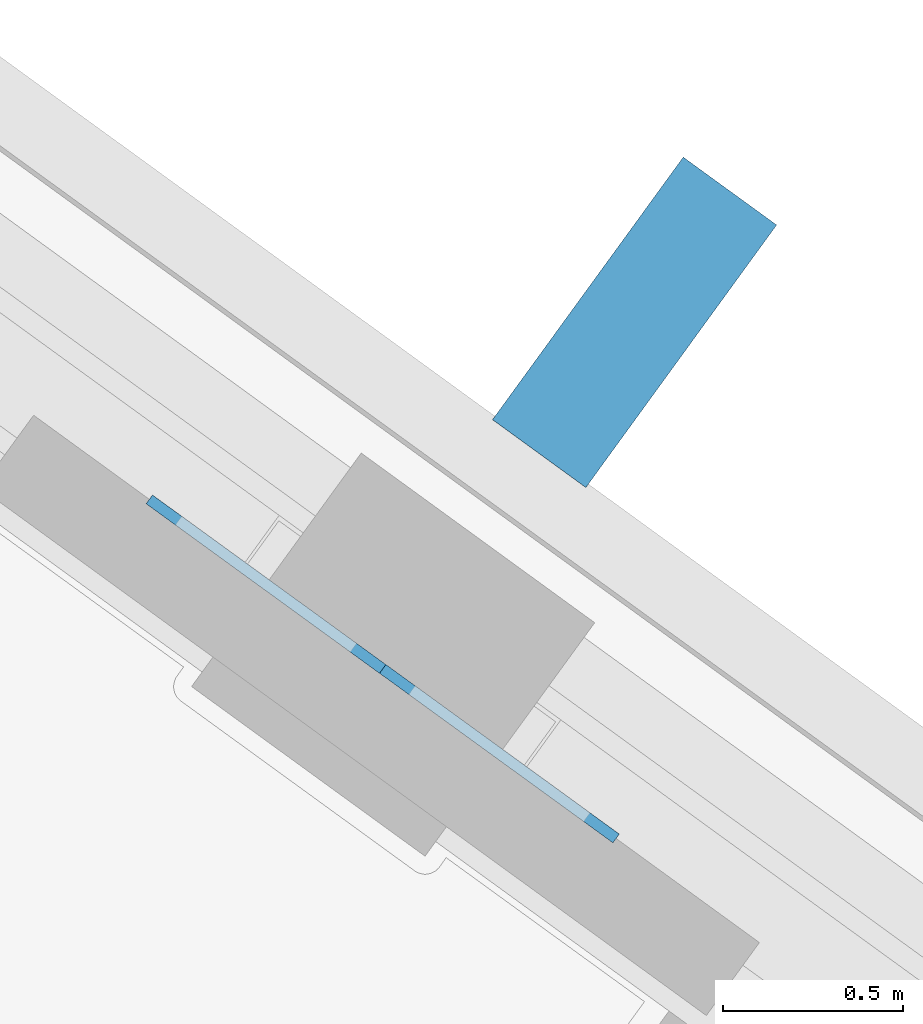
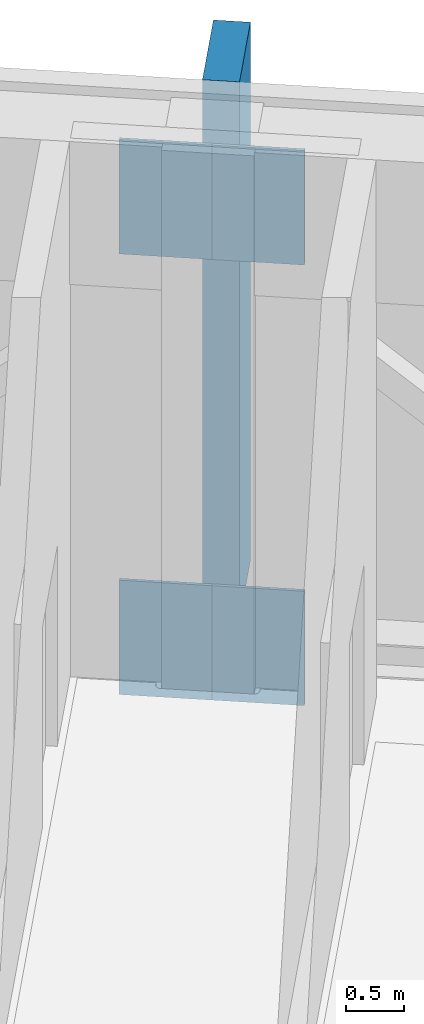
# One storey, part 6 of 15: 5 plates.
"""IFC4 building model written with IfcOpenShell, lengths in metres."""

from ifc_helpers import new_model, si_unit, direction, frame, origin, origin_2d, place, context, subcontext, project, spatial, rectangle, extrude, material, layer, layer_set, type_object, element, save


model = new_model("IFC4")

# Units and contexts
model_context = context("Model", 3, precision=1e-05, world=origin(), true_north=direction((0.0, 1.0)))
body_context = subcontext(model_context, "Body", "Model", "MODEL_VIEW")
ifc_project = project(units=[si_unit("LENGTHUNIT", "METRE"), si_unit("AREAUNIT", "SQUARE_METRE"), si_unit("VOLUMEUNIT", "CUBIC_METRE"), si_unit("PLANEANGLEUNIT", "RADIAN"), si_unit("MASSUNIT", "GRAM", prefix="KILO")], contexts=[model_context])

# Site, building, storey
site_placement = place(None, origin())
site = spatial("IfcSite", under=ifc_project, at=site_placement, CompositionType="ELEMENT")
building_placement = place(site_placement, origin())
building = spatial("IfcBuilding", under=site, at=building_placement, Name="Quipu Civic Tower", CompositionType="ELEMENT")
storey_placement = place(building_placement, frame((0.0, 0.0, 301.0)))
storey = spatial("IfcBuildingStorey", under=building, at=storey_placement, Name="L70", CompositionType="ELEMENT", Elevation=301.0)

# Plates
ifc_material_1 = material(Name="Steel ASTM A572 Grade 50 (fy 345 MPa)", Category="steel")
ifc_layer_1 = layer(ifc_material_1, 0.030029296875)
ifc_layer_set_1 = layer_set([ifc_layer_1], Name="Steel ASTM A572 Grade 50 (fy 345 MPa)")
plate_type_1 = type_object("IfcPlateType", Name="Cast in plate BC5", PredefinedType="SHEET", material=ifc_layer_set_1)
for number, where, z_axis, x_axis, name in (
    (1, (32.931640625, 17.118408203125, -0.32177734375), (0.0, 0.0, 1.0), (0.809006735464, -0.587799372213, 0.0), "Cast-in plate BC5 L70 068"),
    (2, (32.284423828125, 17.58837890625, -0.32177734375), (0.0, 0.0, 1.0), (0.809006735464, -0.587799372213, 0.0), "Cast-in plate BC5 L70 071"),
):
    element("IfcPlate", number, at=place(storey_placement, frame(where, z_axis=z_axis, x_axis=x_axis)), inside=storey, type_object=plate_type_1, Name=name, PredefinedType="SHEET", context=body_context, shape_type="SweptSolid", body=[
        extrude(rectangle(XDim=0.800048828125, YDim=0.030029296875, at=origin_2d()), origin(), (0.0, 0.0, 1.0), 1.199951171875),
    ])
ifc_material_2 = material(Name="Steel ASTM A572 Grade 50 (fy 345 MPa)", Category="steel")
ifc_layer_2 = layer(ifc_material_2, 0.030029296875)
ifc_layer_set_2 = layer_set([ifc_layer_2], Name="Steel ASTM A572 Grade 50 (fy 345 MPa)")
plate_type_2 = type_object("IfcPlateType", Name="Cast in plate TC1", PredefinedType="SHEET", material=ifc_layer_set_2)
for number, where, z_axis, x_axis, name in (
    (3, (32.931640625, 17.118408203125, 4.2998046875), (0.0, 0.0, 1.0), (0.809006735464, -0.587799372213, 0.0), "Cast-in plate TC1 L70 067"),
    (4, (32.284423828125, 17.58837890625, 4.2998046875), (0.0, 0.0, 1.0), (0.809006735464, -0.587799372213, 0.0), "Cast-in plate TC1 L70 070"),
):
    element("IfcPlate", number, at=place(storey_placement, frame(where, z_axis=z_axis, x_axis=x_axis)), inside=storey, type_object=plate_type_2, Name=name, PredefinedType="SHEET", context=body_context, shape_type="SweptSolid", body=[
        extrude(rectangle(XDim=0.800048828125, YDim=0.030029296875, at=origin_2d()), origin(), (0.0, 0.0, 1.0), 1.199951171875),
    ])
ifc_material_3 = material(Name="Precast concrete C40/50", Category="concrete")
plate_type_3 = type_object("IfcPlateType", Name="Precast fin F3", PredefinedType="SHEET", material=ifc_material_3)
plate_placement = place(storey_placement, frame((33.306396484375, 18.314453125, 0.0), z_axis=(0.0, 0.0, 1.0), x_axis=(-0.809017072762, 0.587785144401, 0.0)))
element("IfcPlate", 5, at=plate_placement, inside=storey, type_object=plate_type_3, Name="Precast fin F3 L70.28.1", PredefinedType="SHEET", context=body_context, shape_type="SweptSolid", body=[
    extrude(rectangle(XDim=0.320068359375, YDim=0.89990234375, at=origin_2d()), origin(), (0.0, 0.0, 1.0), 5.64990234375),
])

save(model, "model.ifc")
